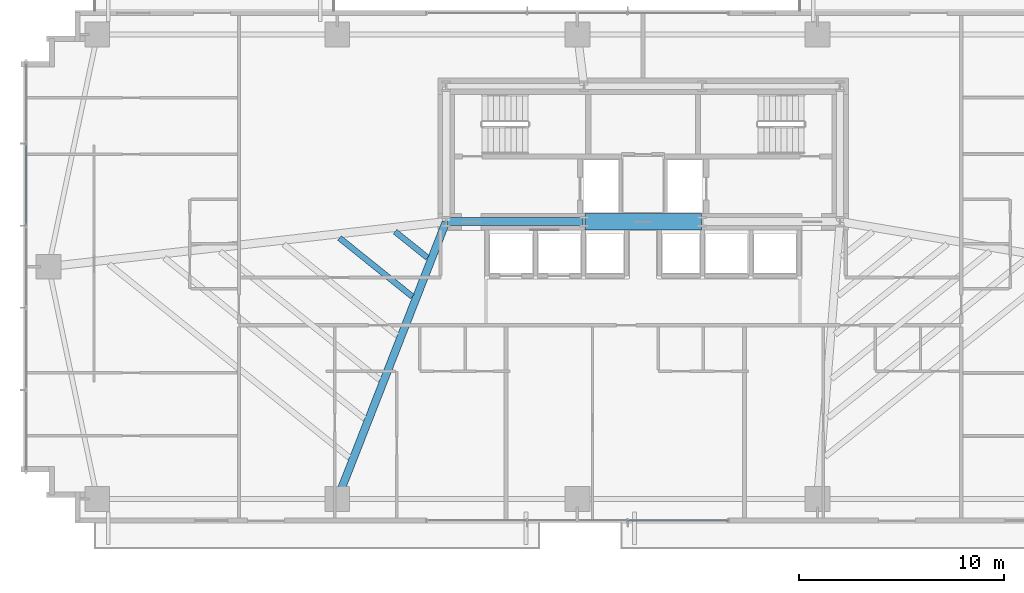
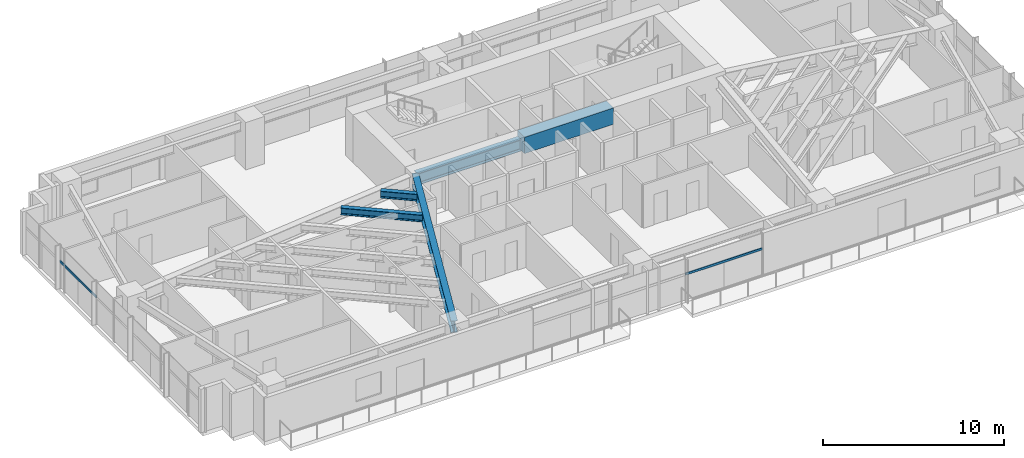
# One storey, part 7 of 25: 5 beams, 2 members, 2 elements without a shape of their own.
"""IFC4 building model written with IfcOpenShell, lengths in metres."""

from ifc_helpers import new_model, si_unit, direction, frame, origin, origin_2d, place, context, subcontext, project, spatial, rectangle, hollow_rectangle, i_section, extrude, source, transform, mapped, material, material_profile, profile_set, type_object, type_shapes, element, aggregate, save


model = new_model("IFC4")

# Units and contexts
model_context = context("Model", 3, precision=1e-05, world=origin(), true_north=direction((0.0, 1.0)))
body_context = subcontext(model_context, "Body", "Model", "MODEL_VIEW")
ifc_project = project(units=[si_unit("LENGTHUNIT", "METRE"), si_unit("AREAUNIT", "SQUARE_METRE"), si_unit("VOLUMEUNIT", "CUBIC_METRE"), si_unit("PLANEANGLEUNIT", "RADIAN"), si_unit("MASSUNIT", "GRAM", prefix="KILO")], contexts=[model_context])

# Site, building, storey
site_placement = place(None, origin())
site = spatial("IfcSite", under=ifc_project, at=site_placement, CompositionType="ELEMENT")
building_placement = place(site_placement, origin())
building = spatial("IfcBuilding", under=site, at=building_placement, Name="Astriad Promenade Condominiums", CompositionType="ELEMENT")
storey_placement = place(building_placement, frame((0.0, 0.0, 51.800048828125)))
storey = spatial("IfcBuildingStorey", under=building, at=storey_placement, Name="L14", CompositionType="ELEMENT", Elevation=51.800048828125)

# Beams
ifc_material_1 = material(Name="Steel ASTM A992 Grade 50", Category="steel")
ifc_material_profile_1 = material_profile(ifc_material_1, i_section(OverallWidth=0.3837890625, OverallDepth=0.785888671875, WebThickness=0.019775390625, FlangeThickness=0.033447265625, FilletRadius=0.021484375, at=origin_2d()), Name="W30X211")
ifc_profile_set_1 = profile_set([ifc_material_profile_1], Name="Steel ASTM A992 Grade 50")
beam_type_1 = type_object("IfcBeamType", Name="STEEL FLOOR GIRDER W30X211", PredefinedType="BEAM", material=ifc_profile_set_1)
shared_shape_1 = source(origin(), body_context, "Body", "SweptSolid", [
    extrude(i_section(OverallWidth=0.3837890625, OverallDepth=0.785888671875, WebThickness=0.019775390625, FlangeThickness=0.033447265625, FilletRadius=0.021484375, at=origin_2d()), origin(), (0.0, 0.0, 1.0), 6.64013671875),
])
beam_1_placement = place(storey_placement, frame((26.43994140625, 17.39990234375, 2.547119140625), z_axis=(1.0, 0.0, 0.0), x_axis=(0.0, 1.0, 0.0)))
element("IfcBeam", 1, at=beam_1_placement, inside=storey, type_object=beam_type_1, Name="Core Ring Beam CG-S1-L14", PredefinedType="BEAM", context=body_context, shape_type="MappedRepresentation", body=[
    mapped(shared_shape_1, transform((0.0, 0.0, 0.0), scale=1.0)),
])
ifc_material_2 = material(Name="Concrete C80/95", Category="concrete")
ifc_material_profile_2 = material_profile(ifc_material_2, rectangle(XDim=0.800048828125, YDim=1.10009765625, at=origin_2d()), Name="RC-BM-800X1100")
ifc_profile_set_2 = profile_set([ifc_material_profile_2], Name="Concrete C80/95")
beam_type_2 = type_object("IfcBeamType", Name="CONCRETE CORE COUPLING LINTEL 800X1100", PredefinedType="LINTEL", material=ifc_profile_set_2)
shared_shape_2 = source(origin(), body_context, "Body", "SweptSolid", [
    extrude(rectangle(XDim=0.800048828125, YDim=1.10009765625, at=origin_2d()), origin(), (0.0, 0.0, 1.0), 5.68017578125),
])
type_shapes(beam_type_2, [shared_shape_2])
beam_2_placement = place(storey_placement, frame((33.159912109375, 17.39990234375, 2.6298828125), z_axis=(1.0, 0.0, 0.0), x_axis=(0.0, 1.0, 0.0)))
element("IfcBeam", 2, at=beam_2_placement, inside=storey, type_object=beam_type_2, Name="Core Ring Beam CG-S2-L14", PredefinedType="LINTEL", context=body_context, shape_type="MappedRepresentation", body=[
    mapped(shared_shape_2, transform((0.0, 0.0, 0.0), scale=1.0)),
])
shared_shape_3 = source(origin(), body_context, "Body", "SweptSolid", [
    extrude(i_section(OverallWidth=0.3837890625, OverallDepth=0.785888671875, WebThickness=0.019775390625, FlangeThickness=0.033447265625, FilletRadius=0.021484375, at=origin_2d()), origin(), (0.0, 0.0, 1.0), 14.44189453125),
])
type_shapes(beam_type_1, [shared_shape_1, shared_shape_3])
beam_3_placement = place(storey_placement, frame((21.114501953125, 3.917236328125, 2.547119140625), z_axis=(0.364981228757, 0.931014877784, 0.0), x_axis=(-0.931014877784, 0.364981228757, 0.0)))
element("IfcBeam", 3, at=beam_3_placement, inside=storey, type_object=beam_type_1, Name="Primary Floor Girder PG-W2-L14", PredefinedType="BEAM", context=body_context, shape_type="MappedRepresentation", body=[
    mapped(shared_shape_3, transform((0.0, 0.0, 0.0), scale=1.0)),
])
ifc_material_profile_3 = material_profile(ifc_material_1, i_section(OverallWidth=0.283203125, OverallDepth=0.47216796875, WebThickness=0.013671875, FlangeThickness=0.022216796875, FilletRadius=0.01513671875, at=origin_2d()), Name="W18X97")
ifc_profile_set_3 = profile_set([ifc_material_profile_3], Name="Steel ASTM A992 Grade 50")
beam_type_3 = type_object("IfcBeamType", Name="STEEL FLOOR JOIST W18X97", PredefinedType="JOIST", material=ifc_profile_set_3)
shared_shape_4 = source(origin(), body_context, "Body", "SweptSolid", [
    extrude(i_section(OverallWidth=0.283203125, OverallDepth=0.47216796875, WebThickness=0.013671875, FlangeThickness=0.022216796875, FilletRadius=0.01513671875, at=origin_2d()), origin(), (0.0, 0.0, 1.0), 4.555419921875),
])
beam_4_placement = place(storey_placement, frame((21.201416015625, 16.600830078125, 2.703857421875), z_axis=(0.779365920634, -0.626569039894, 0.0), x_axis=(0.626569039894, 0.779365920634, 0.0)))
element("IfcBeam", 4, at=beam_4_placement, inside=storey, type_object=beam_type_3, Name="Secondary Composite Floor Joist JW1-5-L14", PredefinedType="JOIST", context=body_context, shape_type="MappedRepresentation", body=[
    mapped(shared_shape_4, transform((0.0, 0.0, 0.0), scale=1.0)),
])
shared_shape_5 = source(origin(), body_context, "Body", "SweptSolid", [
    extrude(i_section(OverallWidth=0.283203125, OverallDepth=0.47216796875, WebThickness=0.013671875, FlangeThickness=0.022216796875, FilletRadius=0.01513671875, at=origin_2d()), origin(), (0.0, 0.0, 1.0), 2.02587890625),
])
type_shapes(beam_type_3, [shared_shape_4, shared_shape_5])
beam_5_placement = place(storey_placement, frame((23.914794921875, 16.90869140625, 2.703857421875), z_axis=(0.779373362939, -0.626559782576, 0.0), x_axis=(0.626559782576, 0.779373362939, 0.0)))
element("IfcBeam", 5, at=beam_5_placement, inside=storey, type_object=beam_type_3, Name="Secondary Composite Floor Joist JW1-6-L14", PredefinedType="JOIST", context=body_context, shape_type="MappedRepresentation", body=[
    mapped(shared_shape_5, transform((0.0, 0.0, 0.0), scale=1.0)),
])

# Curtain wall, member
ifc_material_3 = material(Name="Anodised aluminium Black Dark Glass Unitised", Category="aluminium")
curtain_wall_type = type_object("IfcCurtainWallType", Name="CW-B1-DARK", PredefinedType="USERDEFINED", material=ifc_material_3)
curtain_wall_1_placement = place(storey_placement, origin())
curtain_wall_1 = element("IfcCurtainWall", 6, at=curtain_wall_1_placement, inside=storey, type_object=curtain_wall_type, Name="CW-L14-W", ObjectType="UNITISED_CURTAIN_WALL", PredefinedType="USERDEFINED")
ifc_material_4 = material(Name="Anodised aluminium 6063-T6 Black", Category="aluminium")
ifc_material_profile_4 = material_profile(ifc_material_4, hollow_rectangle(XDim=0.074951171875, YDim=0.14990234375, WallThickness=0.004150390625, at=origin_2d()), Name="ALU-TRN-75X150")
ifc_profile_set_4 = profile_set([ifc_material_profile_4], Name="Anodised aluminium 6063-T6 Black")
member_type = type_object("IfcMemberType", Name="TRN-ALU-TRN-75X150", PredefinedType="USERDEFINED", material=ifc_profile_set_4)
shared_shape_6 = source(origin(), body_context, "Body", "SweptSolid", [
    extrude(hollow_rectangle(XDim=0.074951171875, YDim=0.14990234375, WallThickness=0.004150390625, at=origin_2d()), origin(), (0.0, 0.0, 1.0), 4.0),
])
member_1_placement = place(storey_placement, frame((5.929931640625, 17.199951171875, 1.82275390625), z_axis=(0.0, 1.0, 0.0), x_axis=(-1.0, 0.0, 0.0)))
member_1 = element("IfcMember", 7, at=member_1_placement, type_object=member_type, Name="CW-L14-W-TRN-03-0", ObjectType="TRANSOM", PredefinedType="USERDEFINED", context=body_context, shape_type="MappedRepresentation", body=[
    mapped(shared_shape_6, transform((0.0, 0.0, 0.0), scale=1.0)),
])
aggregate(curtain_wall_1, [member_1])

curtain_wall_2_placement = place(storey_placement, origin())
curtain_wall_2 = element("IfcCurtainWall", 8, at=curtain_wall_2_placement, inside=storey, type_object=curtain_wall_type, Name="CW-L14-S", ObjectType="UNITISED_CURTAIN_WALL", PredefinedType="USERDEFINED")
shared_shape_7 = source(origin(), body_context, "Body", "SweptSolid", [
    extrude(hollow_rectangle(XDim=0.074951171875, YDim=0.14990234375, WallThickness=0.004150390625, at=origin_2d()), origin(), (0.0, 0.0, 1.0), 4.89990234375),
])
type_shapes(member_type, [shared_shape_6, shared_shape_7])
member_2_placement = place(storey_placement, frame((40.14990234375, 2.830078125, 1.82275390625), z_axis=(-1.0, 0.0, 0.0), x_axis=(0.0, -1.0, 0.0)))
member_2 = element("IfcMember", 9, at=member_2_placement, type_object=member_type, Name="CW-L14-S-TRN-00-0", ObjectType="TRANSOM", PredefinedType="USERDEFINED", context=body_context, shape_type="MappedRepresentation", body=[
    mapped(shared_shape_7, transform((0.0, 0.0, 0.0), scale=1.0)),
])
aggregate(curtain_wall_2, [member_2])

save(model, "model.ifc")
